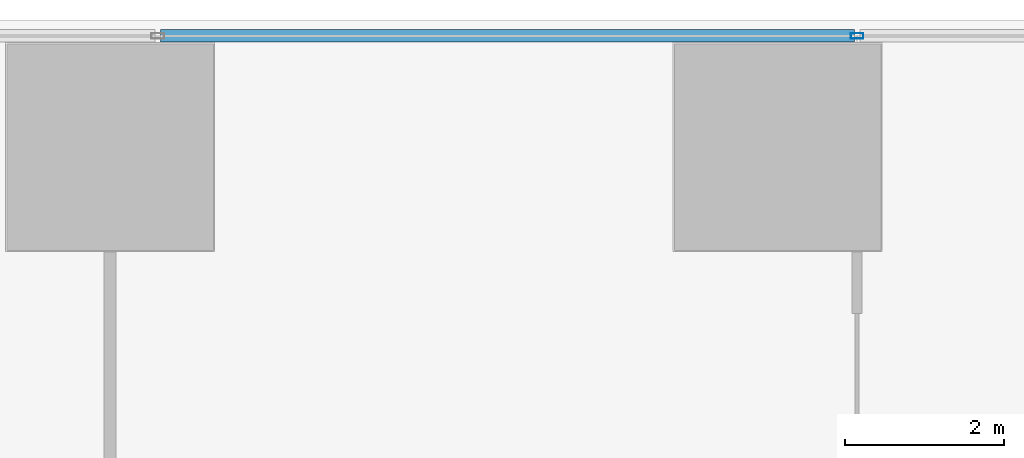
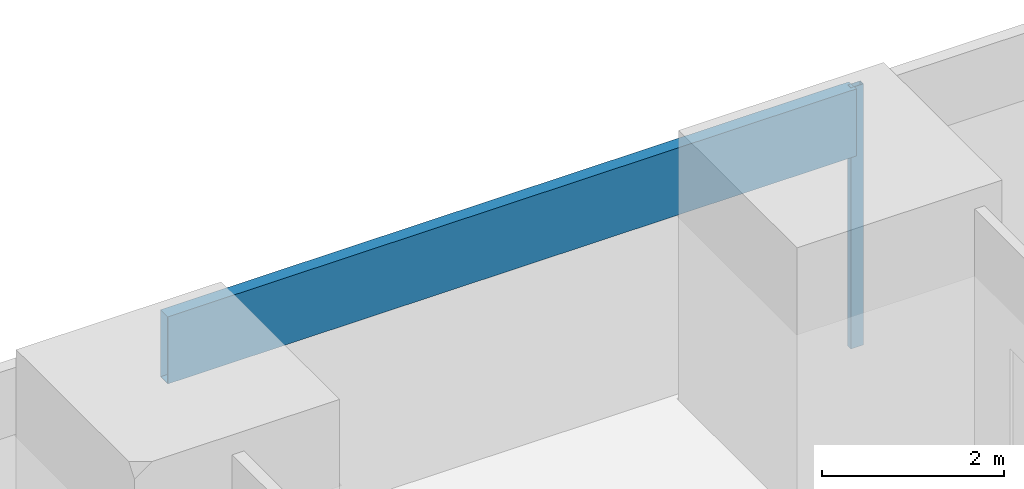
# One storey, part 13 of 35: 2 members, 1 element without a shape of its own.
"""IFC4 building model written with IfcOpenShell, lengths in metres."""

from ifc_helpers import new_model, si_unit, direction, frame, origin, origin_2d, place, context, subcontext, project, spatial, hollow_rectangle, extrude, material, material_profile, profile_set, type_object, element, aggregate, save


model = new_model("IFC4")

# Units and contexts
model_context = context("Model", 3, precision=1e-05, world=origin(), true_north=direction((0.0, 1.0)))
body_context = subcontext(model_context, "Body", "Model", "MODEL_VIEW")
ifc_project = project(units=[si_unit("LENGTHUNIT", "METRE"), si_unit("AREAUNIT", "SQUARE_METRE"), si_unit("VOLUMEUNIT", "CUBIC_METRE"), si_unit("PLANEANGLEUNIT", "RADIAN"), si_unit("MASSUNIT", "GRAM", prefix="KILO")], contexts=[model_context])

# Site, building, storey
site_placement = place(None, origin())
site = spatial("IfcSite", under=ifc_project, at=site_placement, CompositionType="ELEMENT")
building_placement = place(site_placement, origin())
building = spatial("IfcBuilding", under=site, at=building_placement, Name="Rekha Terrace Tower", CompositionType="ELEMENT")
storey_placement = place(building_placement, frame((0.0, 0.0, 25.39990234375)))
storey = spatial("IfcBuildingStorey", under=building, at=storey_placement, Name="L05", CompositionType="ELEMENT", Elevation=25.39990234375)

# Curtain wall, members
ifc_material_1 = material(Name="Aluminium framing", Category="aluminium")
curtain_wall_type = type_object("IfcCurtainWallType", Name="CW3 north unitised glazing", PredefinedType="USERDEFINED", material=ifc_material_1)
curtain_wall_placement = place(storey_placement, origin())
curtain_wall = element("IfcCurtainWall", 1, at=curtain_wall_placement, inside=storey, type_object=curtain_wall_type, Name="CW3 unitised curtain wall", ObjectType="UNITISED CURTAIN WALL", PredefinedType="USERDEFINED")
ifc_material_2 = material(Name="Aluminium mullion section", Category="aluminium")
ifc_material_profile_1 = material_profile(ifc_material_2, hollow_rectangle(XDim=0.070068359375, YDim=0.159912109375, WallThickness=0.00390625, at=origin_2d()), Name="AL RHS 70x160")
ifc_profile_set_1 = profile_set([ifc_material_profile_1], Name="Aluminium mullion section")
member_type_1 = type_object("IfcMemberType", Name="CW3 mullion RHS 70 x 160", PredefinedType="MULLION", material=ifc_profile_set_1)
member_1_placement = place(storey_placement, frame((59.800048828125, 60.199951171875, 0.0), z_axis=(0.0, 0.0, 1.0), x_axis=(0.0, -1.0, 0.0)))
member_1 = element("IfcMember", 2, at=member_1_placement, type_object=member_type_1, Name="CW3 mullion 2", PredefinedType="MULLION", context=body_context, shape_type="SweptSolid", body=[
    extrude(hollow_rectangle(XDim=0.070068359375, YDim=0.159912109375, WallThickness=0.00390625, at=origin_2d()), origin(), (0.0, 0.0, 1.0), 3.5),
])
ifc_material_3 = material(Name="Insulated aluminium spandrel box", Category="aluminium")
ifc_material_profile_2 = material_profile(ifc_material_3, hollow_rectangle(XDim=0.159912109375, YDim=0.89990234375, WallThickness=0.0029296875, at=origin_2d()), Name="AL SPANDREL BOX 160x900")
ifc_profile_set_2 = profile_set([ifc_material_profile_2], Name="Insulated aluminium spandrel box")
member_type_2 = type_object("IfcMemberType", Name="CW3 spandrel transom 160 x 900", PredefinedType="USERDEFINED", material=ifc_profile_set_2)
member_2_placement = place(storey_placement, frame((59.764892578125, 60.199951171875, 3.050048828125), z_axis=(-1.0, 0.0, 0.0), x_axis=(0.0, -1.0, 0.0)))
member_2 = element("IfcMember", 3, at=member_2_placement, type_object=member_type_2, Name="CW3 spandrel transom 2", ObjectType="TRANSOM", PredefinedType="USERDEFINED", context=body_context, shape_type="SweptSolid", body=[
    extrude(hollow_rectangle(XDim=0.159912109375, YDim=0.89990234375, WallThickness=0.0029296875, at=origin_2d()), origin(), (0.0, 0.0, 1.0), 8.72998046875),
])
aggregate(curtain_wall, [member_1, member_2])

save(model, "model.ifc")
